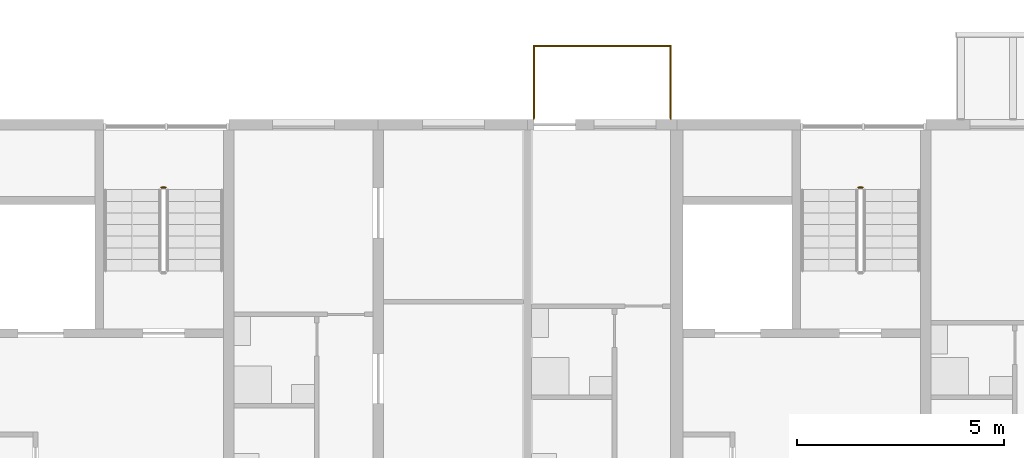
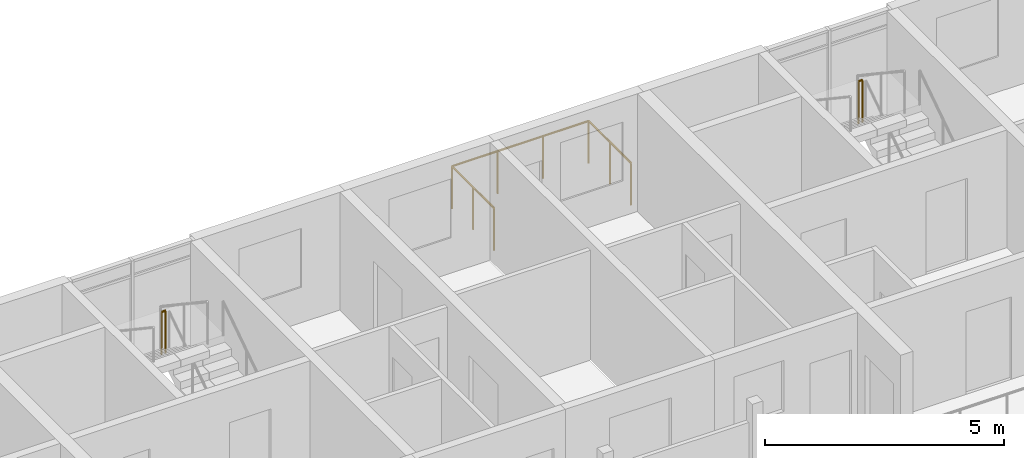
# One storey, part 96 of 100: 3 railings.
"""IFC4 building model written with IfcOpenShell, lengths in metres."""

from ifc_helpers import new_model, si_unit, direction, frame, origin, origin_2d, place, context, subcontext, project, spatial, circle, extrude, material, type_object, element, save


model = new_model("IFC4")

# Units and contexts
model_context = context("Model", 3, precision=1e-05, world=origin(), true_north=direction((0.0, 1.0)))
body_context = subcontext(model_context, "Body", "Model", "MODEL_VIEW")
ifc_project = project(units=[si_unit("LENGTHUNIT", "METRE"), si_unit("AREAUNIT", "SQUARE_METRE"), si_unit("VOLUMEUNIT", "CUBIC_METRE"), si_unit("PLANEANGLEUNIT", "RADIAN"), si_unit("MASSUNIT", "GRAM", prefix="KILO")], contexts=[model_context])

# Site, building, storey
site_placement = place(None, origin())
site = spatial("IfcSite", under=ifc_project, at=site_placement, CompositionType="ELEMENT")
building_placement = place(site_placement, origin())
building = spatial("IfcBuilding", under=site, at=building_placement, Name="Ridgestep Commons", CompositionType="ELEMENT")
storey_placement = place(building_placement, frame((0.0, 0.0, 9.0)))
storey = spatial("IfcBuildingStorey", under=building, at=storey_placement, Name="L03", CompositionType="ELEMENT", Elevation=9.0)

# Railings
ifc_material_1 = material(Name="Structural steel S355JR", Category="steel")
railing_type_1 = type_object("IfcRailingType", Name="Stair guard 1100", PredefinedType="GUARDRAIL", material=ifc_material_1)
for number, where, name in (
    (1, (184.875, 75.610107421875, 1.5), "L03 C3C stair guard 2"),
    (2, (201.675048828125, 75.610107421875, 1.5), "L03 C4C stair guard 2"),
):
    element("IfcRailing", number, at=place(storey_placement, frame(where)), inside=storey, type_object=railing_type_1, Name=name, PredefinedType="GUARDRAIL", context=body_context, shape_type="SweptSolid", body=[
        extrude(circle(Radius=0.02392578125, at=origin_2d()), frame((0.0, 0.0, 1.076171875), z_axis=(-1.0, 0.0, 0.0), x_axis=(0.0, -1.0, 0.0)), (0.0, 0.0, 1.0), 0.10009765625),
        extrude(circle(Radius=0.02099609375, at=origin_2d()), origin(), (0.0, 0.0, 1.0), 1.052001953125),
        extrude(circle(Radius=0.02099609375, at=origin_2d()), frame((-0.10009765625, 0.0, 0.0)), (0.0, 0.0, 1.0), 1.052001953125),
    ])
ifc_material_2 = material(Name="Weathering steel S355J2W", Category="steel")
railing_type_2 = type_object("IfcRailingType", Name="Tray guard 1100", PredefinedType="GUARDRAIL", material=ifc_material_2)
railing_placement = place(storey_placement, frame((193.7509765625, 77.27099609375, 0.0)))
element("IfcRailing", 3, at=railing_placement, inside=storey, type_object=railing_type_2, Name="Tray guard C3T1-03", PredefinedType="GUARDRAIL", context=body_context, shape_type="SweptSolid", body=[
    extrude(circle(Radius=0.02392578125, at=origin_2d()), frame((0.0, 0.0, 1.076171875), z_axis=(0.0, 1.0, 0.0), x_axis=(-1.0, 0.0, 0.0)), (0.0, 0.0, 1.0), 1.758056640625),
    extrude(circle(Radius=0.02392578125, at=origin_2d()), frame((0.0, 1.758056640625, 1.076171875), z_axis=(1.0, 0.0, 0.0), x_axis=(0.0, 1.0, 0.0)), (0.0, 0.0, 1.0), 3.298095703125),
    extrude(circle(Radius=0.02392578125, at=origin_2d()), frame((3.298095703125, 1.758056640625, 1.076171875), z_axis=(0.0, -1.0, 0.0), x_axis=(1.0, 0.0, 0.0)), (0.0, 0.0, 1.0), 1.758056640625),
    extrude(circle(Radius=0.02099609375, at=origin_2d()), origin(), (0.0, 0.0, 1.0), 1.052001953125),
    extrude(circle(Radius=0.02099609375, at=origin_2d()), frame((0.0, 0.87890625, 0.0)), (0.0, 0.0, 1.0), 1.052001953125),
    extrude(circle(Radius=0.02099609375, at=origin_2d()), frame((0.0, 1.758056640625, 0.0)), (0.0, 0.0, 1.0), 1.052001953125),
    extrude(circle(Radius=0.02099609375, at=origin_2d()), frame((1.099365234375, 1.758056640625, 0.0)), (0.0, 0.0, 1.0), 1.052001953125),
    extrude(circle(Radius=0.02099609375, at=origin_2d()), frame((2.19873046875, 1.758056640625, 0.0)), (0.0, 0.0, 1.0), 1.052001953125),
    extrude(circle(Radius=0.02099609375, at=origin_2d()), frame((3.298095703125, 1.758056640625, 0.0)), (0.0, 0.0, 1.0), 1.052001953125),
    extrude(circle(Radius=0.02099609375, at=origin_2d()), frame((3.298095703125, 0.87890625, 0.0)), (0.0, 0.0, 1.0), 1.052001953125),
    extrude(circle(Radius=0.02099609375, at=origin_2d()), frame((3.298095703125, 0.0, 0.0)), (0.0, 0.0, 1.0), 1.052001953125),
])

save(model, "model.ifc")
